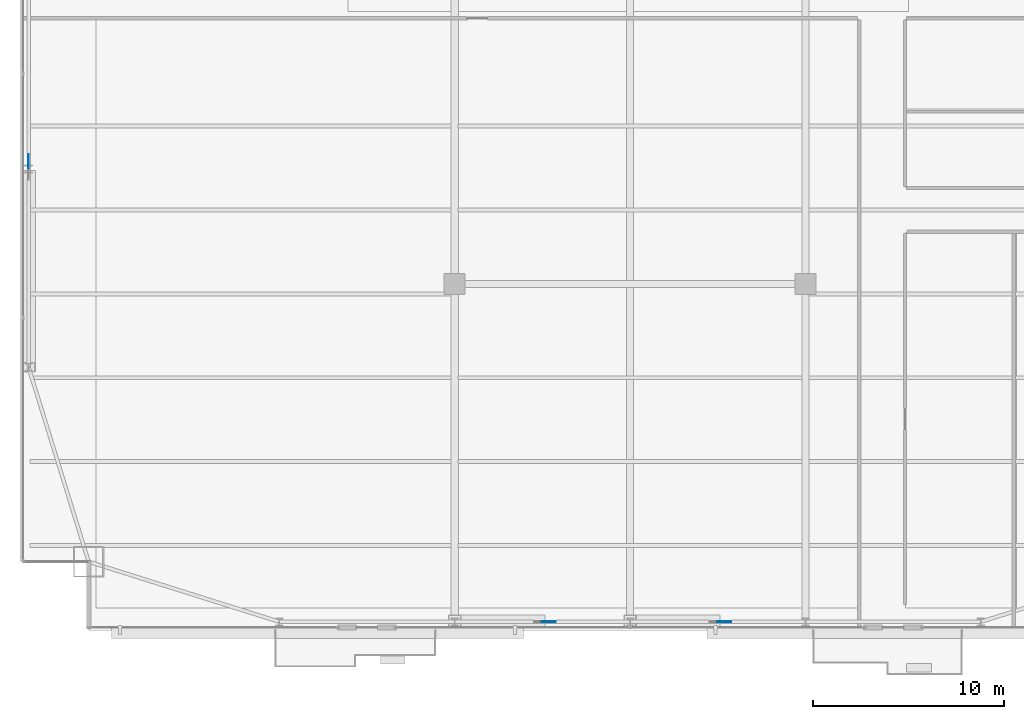
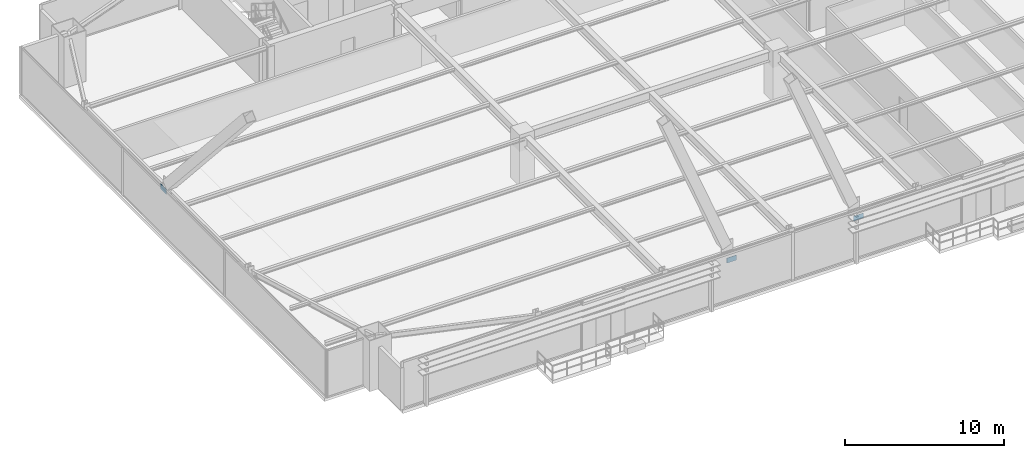
# One storey, part 29 of 35: 3 plates.
"""IFC4 building model written with IfcOpenShell, lengths in metres."""

from ifc_helpers import new_model, si_unit, direction, frame, origin, origin_2d, place, context, subcontext, project, spatial, rectangle, extrude, source, transform, mapped, material, layer, layer_set, type_object, type_shapes, element, save


model = new_model("IFC4")

# Units and contexts
model_context = context("Model", 3, precision=1e-05, world=origin(), true_north=direction((0.0, 1.0)))
body_context = subcontext(model_context, "Body", "Model", "MODEL_VIEW")
ifc_project = project(units=[si_unit("LENGTHUNIT", "METRE"), si_unit("AREAUNIT", "SQUARE_METRE"), si_unit("VOLUMEUNIT", "CUBIC_METRE"), si_unit("PLANEANGLEUNIT", "RADIAN"), si_unit("MASSUNIT", "GRAM", prefix="KILO")], contexts=[model_context])

# Site, building, storey
site_placement = place(None, origin())
site = spatial("IfcSite", under=ifc_project, at=site_placement, CompositionType="ELEMENT")
building_placement = place(site_placement, origin())
building = spatial("IfcBuilding", under=site, at=building_placement, Name="Varnel Quay Broadcast Tower", CompositionType="ELEMENT")
storey_placement = place(building_placement, frame((0.0, 0.0, 66.60009765625)))
storey = spatial("IfcBuildingStorey", under=building, at=storey_placement, Name="L15", CompositionType="ELEMENT", Elevation=66.60009765625)

# Plates
ifc_material = material(Name="Structural Steel CSA G40.21 350WT", Category="steel")
ifc_layer = layer(ifc_material, 0.031982421875, Name="Structural Steel CSA G40.21 350WT")
ifc_layer_set = layer_set([ifc_layer], Name="Structural Steel CSA G40.21 350WT")
plate_type = type_object("IfcPlateType", Name="Plate_EndCap", PredefinedType="USERDEFINED", material=ifc_layer_set)
shared_shape = source(origin(), body_context, "Body", "SweptSolid", [
    extrude(rectangle(XDim=0.719970703125, YDim=0.031982421875, at=origin_2d()), origin(), (0.0, 0.0, 1.0), 0.3798828125),
])
type_shapes(plate_type, [shared_shape])
for number, where, z_axis, x_axis, name in (
    (1, (29.738525390625, 1.64990234375, 2.701904296875), (0.0, 0.0, 1.0), (1.0, 0.0, 0.0), "Zone 1 Mega-Brace S-C1T3 Diag B1 End Connection Plate P1"),
    (2, (38.938720703125, 1.64990234375, 2.701904296875), (0.0, 0.0, 1.0), (1.0, 0.0, 0.0), "Zone 1 Mega-Brace S-C2T3 Diag B1 End Connection Plate P1"),
    (3, (2.449951171875, 25.8046875, 2.9853515625), (0.0, 0.0, 1.0), (0.0, 1.0, 0.0), "Zone 1 Mega-Brace W-FT3 Diag B1 End Connection Plate P1"),
):
    element("IfcPlate", number, at=place(storey_placement, frame(where, z_axis=z_axis, x_axis=x_axis)), inside=storey, type_object=plate_type, Name=name, ObjectType="CAP_PLATE", PredefinedType="USERDEFINED", context=body_context, shape_type="MappedRepresentation", body=[
        mapped(shared_shape, transform((0.0, 0.0, 0.0), x_axis=(1.0, 0.0, 0.0), y_axis=(0.0, 1.0, 0.0), z_axis=(0.0, 0.0, 1.0), scale=1.0)),
    ])

save(model, "model.ifc")
